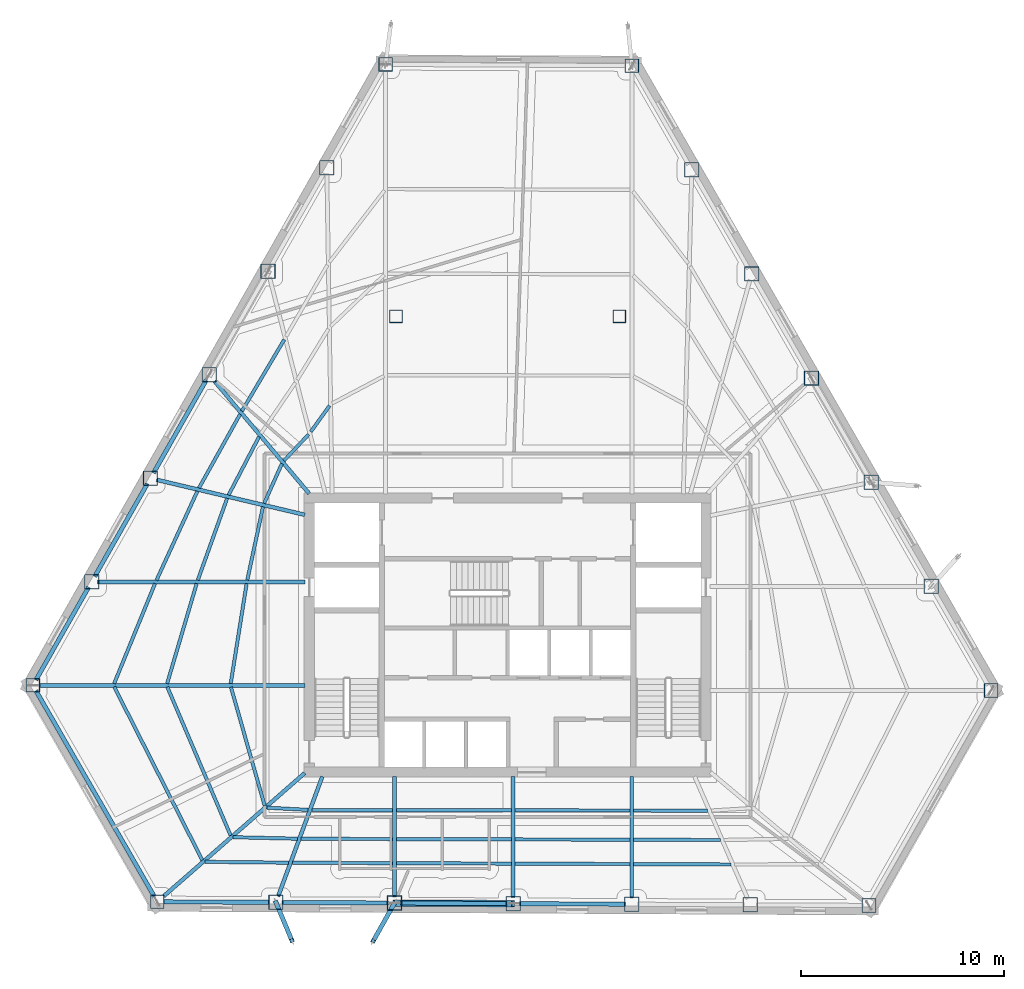
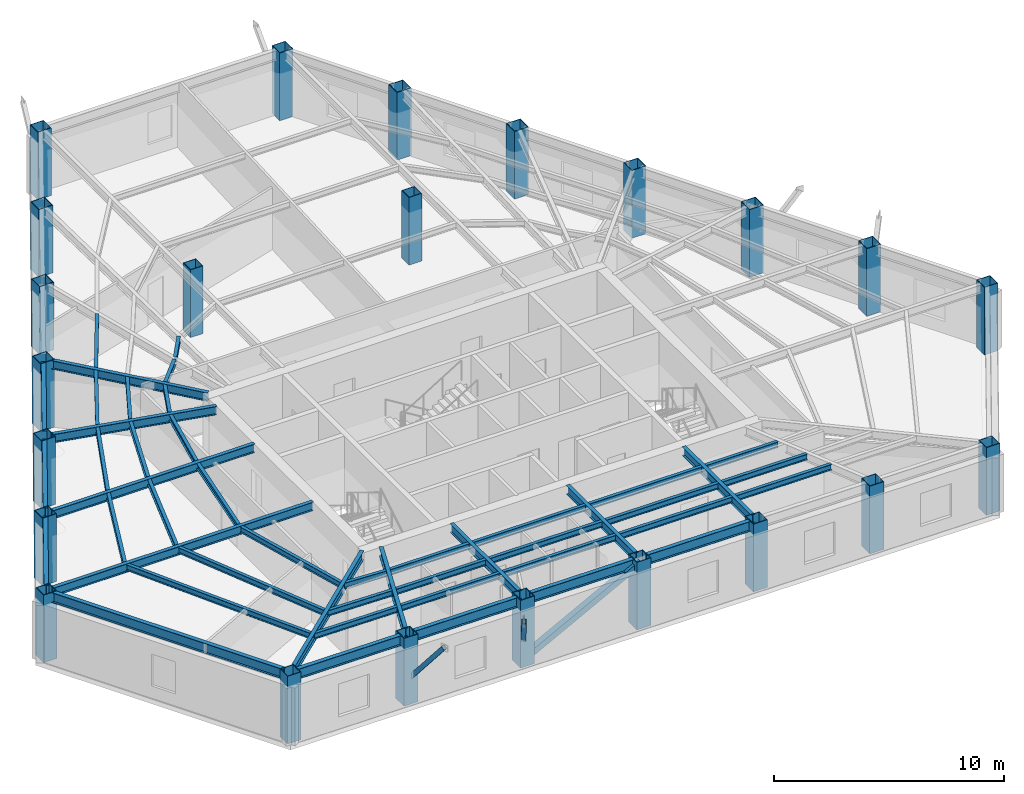
# One storey, part 1 of 13: 47 beams, 23 columns, 3 members.
"""IFC4 building model written with IfcOpenShell, lengths in metres."""

from ifc_helpers import new_model, si_unit, direction, frame, origin, origin_2d, place, context, subcontext, project, spatial, hollow_rectangle, i_section, extrude, material, material_profile, profile_set, type_object, element, save


model = new_model("IFC4")

# Units and contexts
model_context = context("Model", 3, precision=1e-05, world=origin(), true_north=direction((0.0, 1.0)))
body_context = subcontext(model_context, "Body", "Model", "MODEL_VIEW")
ifc_project = project(units=[si_unit("LENGTHUNIT", "METRE"), si_unit("AREAUNIT", "SQUARE_METRE"), si_unit("VOLUMEUNIT", "CUBIC_METRE"), si_unit("PLANEANGLEUNIT", "RADIAN"), si_unit("MASSUNIT", "GRAM", prefix="KILO")], contexts=[model_context])

# Site, building, storey
site_placement = place(None, origin())
site = spatial("IfcSite", under=ifc_project, at=site_placement, CompositionType="ELEMENT")
building_placement = place(site_placement, origin())
building = spatial("IfcBuilding", under=site, at=building_placement, Name="Kavelnor Concourse Tower", CompositionType="ELEMENT")
storey_placement = place(building_placement, frame((0.0, 0.0, 108.60009765625)))
storey = spatial("IfcBuildingStorey", under=building, at=storey_placement, Name="L27", CompositionType="ELEMENT", Elevation=108.60009765625)

# Columns
ifc_material = material(Name="Steel Grade 350", Category="steel")
ifc_material_profile_1 = material_profile(ifc_material, hollow_rectangle(XDim=0.679931640625, YDim=0.679931640625, WallThickness=0.030029296875, at=origin_2d()), Name="SHS 680x680x30")
ifc_profile_set_1 = profile_set([ifc_material_profile_1], Name="Steel Grade 350")
column_type_1 = type_object("IfcColumnType", Name="COL-FOLD-Z2", PredefinedType="COLUMN", material=ifc_profile_set_1)
for number, where, z_axis, x_axis, name in (
    (1, (31.99072265625, 44.204345703125, 0.0), (0.0, 0.0, 1.0), (1.0, 0.0, 0.0), "L27 Perimeter Corner-Fold Column F0-B0"),
    (2, (14.62353515625, 13.62646484375, 0.0), (0.0, 0.0, 1.0), (1.0, 0.0, 0.0), "L27 Perimeter Corner-Fold Column F0-B6"),
    (3, (20.751220703125, 2.966796875, 0.0), (0.0, 0.0, 1.0), (1.0, 0.0, 0.0), "L27 Perimeter Corner-Fold Column F1-B0"),
    (4, (55.797119140625, 2.784912109375, 0.0), (0.0, 0.0, 1.0), (1.0, 0.0, 0.0), "L27 Perimeter Corner-Fold Column F1-B6"),
    (5, (61.810791015625, 13.372802734375, 0.0), (0.0, 0.0, 1.0), (1.0, 0.0, 0.0), "L27 Perimeter Corner-Fold Column F2-B0"),
    (6, (44.123291015625, 44.1416015625, 0.0), (0.0, 0.0, 1.0), (1.0, 0.0, 0.0), "L27 Perimeter Corner-Fold Column F2-B6"),
):
    element("IfcColumn", number, at=place(storey_placement, frame(where, z_axis=z_axis, x_axis=x_axis)), inside=storey, type_object=column_type_1, Name=name, PredefinedType="COLUMN", context=body_context, shape_type="SweptSolid", body=[
        extrude(hollow_rectangle(XDim=0.679931640625, YDim=0.679931640625, WallThickness=0.030029296875, at=origin_2d()), origin(), (0.0, 0.0, 1.0), 3.599853515625),
    ])
ifc_material_profile_2 = material_profile(ifc_material, hollow_rectangle(XDim=0.719970703125, YDim=0.719970703125, WallThickness=0.031982421875, at=origin_2d()), Name="SHS 720x720x32")
ifc_profile_set_2 = profile_set([ifc_material_profile_2], Name="Steel Grade 350")
column_type_2 = type_object("IfcColumnType", Name="COL-TUBE-Z2", PredefinedType="COLUMN", material=ifc_profile_set_2)
for number, where, z_axis, x_axis, name in (
    (7, (29.09619140625, 39.108154296875, 0.0), (0.0, 0.0, 1.0), (1.0, 0.0, 0.0), "L27 Perimeter Framed-Tube Column F0-B1"),
    (8, (26.20166015625, 34.01171875, 0.0), (0.0, 0.0, 1.0), (1.0, 0.0, 0.0), "L27 Perimeter Framed-Tube Column F0-B2"),
    (9, (23.30712890625, 28.915283203125, 0.0), (0.0, 0.0, 1.0), (1.0, 0.0, 0.0), "L27 Perimeter Framed-Tube Column F0-B3"),
    (10, (20.41259765625, 23.819091796875, 0.0), (0.0, 0.0, 1.0), (1.0, 0.0, 0.0), "L27 Perimeter Framed-Tube Column F0-B4"),
    (11, (17.51806640625, 18.72265625, 0.0), (0.0, 0.0, 1.0), (1.0, 0.0, 0.0), "L27 Perimeter Framed-Tube Column F0-B5"),
    (12, (26.59228515625, 2.9365234375, 0.0), (0.0, 0.0, 1.0), (1.0, 0.0, 0.0), "L27 Perimeter Framed-Tube Column F1-B1"),
    (13, (32.43310546875, 2.90625, 0.0), (0.0, 0.0, 1.0), (1.0, 0.0, 0.0), "L27 Perimeter Framed-Tube Column F1-B2"),
    (14, (38.274169921875, 2.875732421875, 0.0), (0.0, 0.0, 1.0), (1.0, 0.0, 0.0), "L27 Perimeter Framed-Tube Column F1-B3"),
    (15, (44.115234375, 2.845458984375, 0.0), (0.0, 0.0, 1.0), (1.0, 0.0, 0.0), "L27 Perimeter Framed-Tube Column F1-B4"),
    (16, (49.956298828125, 2.815185546875, 0.0), (0.0, 0.0, 1.0), (1.0, 0.0, 0.0), "L27 Perimeter Framed-Tube Column F1-B5"),
    (17, (58.86279296875, 18.5009765625, 0.0), (0.0, 0.0, 1.0), (1.0, 0.0, 0.0), "L27 Perimeter Framed-Tube Column F2-B1"),
    (18, (55.9150390625, 23.62890625, 0.0), (0.0, 0.0, 1.0), (1.0, 0.0, 0.0), "L27 Perimeter Framed-Tube Column F2-B2"),
    (19, (52.967041015625, 28.757080078125, 0.0), (0.0, 0.0, 1.0), (1.0, 0.0, 0.0), "L27 Perimeter Framed-Tube Column F2-B3"),
    (20, (50.01904296875, 33.88525390625, 0.0), (0.0, 0.0, 1.0), (1.0, 0.0, 0.0), "L27 Perimeter Framed-Tube Column F2-B4"),
    (21, (47.0712890625, 39.013427734375, 0.0), (0.0, 0.0, 1.0), (1.0, 0.0, 0.0), "L27 Perimeter Framed-Tube Column F2-B5"),
):
    element("IfcColumn", number, at=place(storey_placement, frame(where, z_axis=z_axis, x_axis=x_axis)), inside=storey, type_object=column_type_2, Name=name, PredefinedType="COLUMN", context=body_context, shape_type="SweptSolid", body=[
        extrude(hollow_rectangle(XDim=0.719970703125, YDim=0.719970703125, WallThickness=0.031982421875, at=origin_2d()), origin(), (0.0, 0.0, 1.0), 3.599853515625),
    ])
ifc_material_profile_3 = material_profile(ifc_material, hollow_rectangle(XDim=0.639892578125, YDim=0.639892578125, WallThickness=0.028076171875, at=origin_2d()), Name="SHS 640x640x28")
ifc_profile_set_3 = profile_set([ifc_material_profile_3], Name="Steel Grade 350")
column_type_3 = type_object("IfcColumnType", Name="COL-TUBE-Z3", PredefinedType="COLUMN", material=ifc_profile_set_3)
for number, where, z_axis, x_axis, name in (
    (22, (32.5, 31.800048828125, 0.0), (0.0, 0.0, 1.0), (1.0, 0.0, 0.0), "L27 North Interior Gravity Column BC-NW"),
    (23, (43.5, 31.800048828125, 0.0), (0.0, 0.0, 1.0), (1.0, 0.0, 0.0), "L27 North Interior Gravity Column BC-NE"),
):
    element("IfcColumn", number, at=place(storey_placement, frame(where, z_axis=z_axis, x_axis=x_axis)), inside=storey, type_object=column_type_3, Name=name, PredefinedType="COLUMN", context=body_context, shape_type="SweptSolid", body=[
        extrude(hollow_rectangle(XDim=0.639892578125, YDim=0.639892578125, WallThickness=0.028076171875, at=origin_2d()), origin(), (0.0, 0.0, 1.0), 3.599853515625),
    ])

# Beams
ifc_material_profile_4 = material_profile(ifc_material, i_section(OverallWidth=0.166015625, OverallDepth=0.306884765625, WebThickness=0.006591796875, FlangeThickness=0.01171875, at=origin_2d()), Name="310UB46")
ifc_profile_set_4 = profile_set([ifc_material_profile_4], Name="Steel Grade 350")
beam_type_1 = type_object("IfcBeamType", Name="BM-JOIST-310", PredefinedType="JOIST", material=ifc_profile_set_4)
beam_1_placement = place(storey_placement, frame((24.377197265625, 13.540771484375, 3.4462890625), z_axis=(0.273421872774, -0.961894214292, 0.0), x_axis=(0.961894214292, 0.273421872774, 0.0)))
element("IfcBeam", 24, at=beam_1_placement, inside=storey, type_object=beam_type_1, Name="L27 Secondary Composite Joist 01-1", PredefinedType="JOIST", context=body_context, shape_type="SweptSolid", body=[
    extrude(i_section(OverallWidth=0.166015625, OverallDepth=0.306884765625, WebThickness=0.006591796875, FlangeThickness=0.01171875, at=origin_2d()), origin(), (0.0, 0.0, 1.0), 6.08154296875),
])
beam_2_placement = place(storey_placement, frame((21.24462890625, 13.54443359375, 3.4462890625), z_axis=(0.392106109439, -0.919919995946, 0.0), x_axis=(0.919919995946, 0.392106109439, 0.0)))
element("IfcBeam", 25, at=beam_2_placement, inside=storey, type_object=beam_type_1, Name="L27 Secondary Composite Joist 01-2", PredefinedType="JOIST", context=body_context, shape_type="SweptSolid", body=[
    extrude(i_section(OverallWidth=0.166015625, OverallDepth=0.306884765625, WebThickness=0.006591796875, FlangeThickness=0.01171875, at=origin_2d()), origin(), (0.0, 0.0, 1.0), 7.949951171875),
])
beam_3_placement = place(storey_placement, frame((18.630859375, 13.547119140625, 3.4462890625), z_axis=(0.453040874206, -0.891489745481, 0.0), x_axis=(0.891489745481, 0.453040874206, 0.0)))
element("IfcBeam", 26, at=beam_3_placement, inside=storey, type_object=beam_type_1, Name="L27 Secondary Composite Joist 01-3", PredefinedType="JOIST", context=body_context, shape_type="SweptSolid", body=[
    extrude(i_section(OverallWidth=0.166015625, OverallDepth=0.306884765625, WebThickness=0.006591796875, FlangeThickness=0.01171875, at=origin_2d()), origin(), (0.0, 0.0, 1.0), 9.5703125),
])
beam_4_placement = place(storey_placement, frame((26.1533203125, 7.6005859375, 3.4462890625), z_axis=(0.998534202843, -0.054124354527, 0.0), x_axis=(0.054124354527, 0.998534202843, 0.0)))
element("IfcBeam", 27, at=beam_4_placement, inside=storey, type_object=beam_type_1, Name="L27 Secondary Composite Joist 02-1", PredefinedType="JOIST", context=body_context, shape_type="SweptSolid", body=[
    extrude(i_section(OverallWidth=0.166015625, OverallDepth=0.306884765625, WebThickness=0.006591796875, FlangeThickness=0.01171875, at=origin_2d()), origin(), (0.0, 0.0, 1.0), 2.02978515625),
])
beam_5_placement = place(storey_placement, frame((24.485595703125, 6.147216796875, 3.4462890625), z_axis=(0.999722872434, -0.02354099261, 0.0), x_axis=(0.02354099261, 0.999722872434, 0.0)))
element("IfcBeam", 28, at=beam_5_placement, inside=storey, type_object=beam_type_1, Name="L27 Secondary Composite Joist 02-2", PredefinedType="JOIST", context=body_context, shape_type="SweptSolid", body=[
    extrude(i_section(OverallWidth=0.166015625, OverallDepth=0.306884765625, WebThickness=0.006591796875, FlangeThickness=0.01171875, at=origin_2d()), origin(), (0.0, 0.0, 1.0), 3.173583984375),
])
beam_6_placement = place(storey_placement, frame((23.095703125, 4.93505859375, 3.4462890625), z_axis=(0.999944583282, -0.010527600155, 0.0), x_axis=(0.010527600155, 0.999944583282, 0.0)))
element("IfcBeam", 29, at=beam_6_placement, inside=storey, type_object=beam_type_1, Name="L27 Secondary Composite Joist 02-3", PredefinedType="JOIST", context=body_context, shape_type="SweptSolid", body=[
    extrude(i_section(OverallWidth=0.166015625, OverallDepth=0.306884765625, WebThickness=0.006591796875, FlangeThickness=0.01171875, at=origin_2d()), origin(), (0.0, 0.0, 1.0), 4.1279296875),
])
beam_7_placement = place(storey_placement, frame((28.358154296875, 7.48583984375, 3.4462890625), z_axis=(0.999998422562, -0.001776196132, 0.0), x_axis=(0.001776196132, 0.999998422562, 0.0)))
element("IfcBeam", 30, at=beam_7_placement, inside=storey, type_object=beam_type_1, Name="L27 Secondary Composite Joist 03-1", PredefinedType="JOIST", context=body_context, shape_type="SweptSolid", body=[
    extrude(i_section(OverallWidth=0.166015625, OverallDepth=0.306884765625, WebThickness=0.006591796875, FlangeThickness=0.01171875, at=origin_2d()), origin(), (0.0, 0.0, 1.0), 3.986083984375),
])
beam_8_placement = place(storey_placement, frame((27.836181640625, 6.070068359375, 3.4462890625), z_axis=(0.999994179656, -0.003411840418, 0.0), x_axis=(0.003411840418, 0.999994179656, 0.0)))
element("IfcBeam", 31, at=beam_8_placement, inside=storey, type_object=beam_type_1, Name="L27 Secondary Composite Joist 03-2", PredefinedType="JOIST", context=body_context, shape_type="SweptSolid", body=[
    extrude(i_section(OverallWidth=0.166015625, OverallDepth=0.306884765625, WebThickness=0.006591796875, FlangeThickness=0.01171875, at=origin_2d()), origin(), (0.0, 0.0, 1.0), 4.508056640625),
])
beam_9_placement = place(storey_placement, frame((27.4013671875, 4.89013671875, 3.4462890625), z_axis=(0.9999901197, -0.004445278612, 0.0), x_axis=(0.004445278612, 0.9999901197, 0.0)))
element("IfcBeam", 32, at=beam_9_placement, inside=storey, type_object=beam_type_1, Name="L27 Secondary Composite Joist 03-3", PredefinedType="JOIST", context=body_context, shape_type="SweptSolid", body=[
    extrude(i_section(OverallWidth=0.166015625, OverallDepth=0.306884765625, WebThickness=0.006591796875, FlangeThickness=0.01171875, at=origin_2d()), origin(), (0.0, 0.0, 1.0), 4.94287109375),
])
for number, where, z_axis, x_axis, name in (
    (33, (32.522216796875, 7.478515625, 3.4462890625), (0.999998925761, -0.001465768386, 0.0), (0.001465768386, 0.999998925761, 0.0), "L27 Secondary Composite Joist 04-1"),
    (34, (32.522216796875, 6.05419921875, 3.4462890625), (0.999996311732, -0.002715975497, 0.0), (0.002715975497, 0.999996311732, 0.0), "L27 Secondary Composite Joist 04-2"),
    (35, (32.522216796875, 4.8671875, 3.4462890625), (0.99999312716, -0.003707510301, 0.0), (0.003707510301, 0.99999312716, 0.0), "L27 Secondary Composite Joist 04-3"),
):
    element("IfcBeam", number, at=place(storey_placement, frame(where, z_axis=z_axis, x_axis=x_axis)), inside=storey, type_object=beam_type_1, Name=name, PredefinedType="JOIST", context=body_context, shape_type="SweptSolid", body=[
        extrude(i_section(OverallWidth=0.166015625, OverallDepth=0.306884765625, WebThickness=0.006591796875, FlangeThickness=0.01171875, at=origin_2d()), origin(), (0.0, 0.0, 1.0), 5.6630859375),
    ])
for number, where, z_axis, x_axis, name in (
    (36, (38.36328125, 7.469970703125, 3.4462890625), (0.999998925668, -0.001465831579, 0.0), (0.001465831579, 0.999998925668, 0.0), "L27 Secondary Composite Joist 05-1"),
    (37, (38.36328125, 6.038330078125, 3.4462890625), (0.999996427582, -0.002672980319, 0.0), (0.002672980319, 0.999996427582, 0.0), "L27 Secondary Composite Joist 05-2"),
    (38, (38.36328125, 4.845458984375, 3.4462890625), (0.999992965793, -0.00375078198, 0.0), (0.00375078198, 0.999992965793, 0.0), "L27 Secondary Composite Joist 05-3"),
):
    element("IfcBeam", number, at=place(storey_placement, frame(where, z_axis=z_axis, x_axis=x_axis)), inside=storey, type_object=beam_type_1, Name=name, PredefinedType="JOIST", context=body_context, shape_type="SweptSolid", body=[
        extrude(i_section(OverallWidth=0.166015625, OverallDepth=0.306884765625, WebThickness=0.006591796875, FlangeThickness=0.01171875, at=origin_2d()), origin(), (0.0, 0.0, 1.0), 5.662841796875),
    ])
beam_10_placement = place(storey_placement, frame((44.2041015625, 7.461181640625, 3.4462890625), z_axis=(0.999996770491, -0.002541457817, 0.0), x_axis=(0.002541457817, 0.999996770491, 0.0)))
element("IfcBeam", 39, at=beam_10_placement, inside=storey, type_object=beam_type_1, Name="L27 Secondary Composite Joist 06-1", PredefinedType="JOIST", context=body_context, shape_type="SweptSolid", body=[
    extrude(i_section(OverallWidth=0.166015625, OverallDepth=0.306884765625, WebThickness=0.006591796875, FlangeThickness=0.01171875, at=origin_2d()), origin(), (0.0, 0.0, 1.0), 3.650390625),
])
beam_11_placement = place(storey_placement, frame((44.2041015625, 6.0224609375, 3.4462890625), z_axis=(0.999993938815, -0.003481714056, 0.0), x_axis=(0.003481714056, 0.999993938815, 0.0)))
element("IfcBeam", 40, at=beam_11_placement, inside=storey, type_object=beam_type_1, Name="L27 Secondary Composite Joist 06-2", PredefinedType="JOIST", context=body_context, shape_type="SweptSolid", body=[
    extrude(i_section(OverallWidth=0.166015625, OverallDepth=0.306884765625, WebThickness=0.006591796875, FlangeThickness=0.01171875, at=origin_2d()), origin(), (0.0, 0.0, 1.0), 4.27734375),
])
beam_12_placement = place(storey_placement, frame((44.2041015625, 4.823486328125, 3.4462890625), z_axis=(0.999991721006, -0.004069142303, 0.0), x_axis=(0.004069142303, 0.999991721006, 0.0)))
element("IfcBeam", 41, at=beam_12_placement, inside=storey, type_object=beam_type_1, Name="L27 Secondary Composite Joist 06-3", PredefinedType="JOIST", context=body_context, shape_type="SweptSolid", body=[
    extrude(i_section(OverallWidth=0.166015625, OverallDepth=0.306884765625, WebThickness=0.006591796875, FlangeThickness=0.01171875, at=origin_2d()), origin(), (0.0, 0.0, 1.0), 4.7998046875),
])
beam_13_placement = place(storey_placement, frame((29.23388671875, 27.397216796875, 3.4462890625), z_axis=(-0.58433322423, -0.811513821855, 0.0), x_axis=(0.811513821855, -0.58433322423, 0.0)))
element("IfcBeam", 42, at=beam_13_placement, inside=storey, type_object=beam_type_1, Name="L27 Secondary Composite Joist 17-1", PredefinedType="JOIST", context=body_context, shape_type="SweptSolid", body=[
    extrude(i_section(OverallWidth=0.166015625, OverallDepth=0.306884765625, WebThickness=0.006591796875, FlangeThickness=0.01171875, at=origin_2d()), origin(), (0.0, 0.0, 1.0), 1.579833984375),
])
beam_14_placement = place(storey_placement, frame((28.197998046875, 25.978271484375, 3.4462890625), z_axis=(-0.6843941142, -0.729112266012, 0.0), x_axis=(0.729112266012, -0.6843941142, 0.0)))
element("IfcBeam", 43, at=beam_14_placement, inside=storey, type_object=beam_type_1, Name="L27 Secondary Composite Joist 18-1", PredefinedType="JOIST", context=body_context, shape_type="SweptSolid", body=[
    extrude(i_section(OverallWidth=0.166015625, OverallDepth=0.306884765625, WebThickness=0.006591796875, FlangeThickness=0.01171875, at=origin_2d()), origin(), (0.0, 0.0, 1.0), 1.7744140625),
])
beam_15_placement = place(storey_placement, frame((27.00390625, 30.652099609375, 3.4462890625), z_axis=(-0.509872719421, -0.860249853235, 0.0), x_axis=(0.860249853235, -0.509872719421, 0.0)))
element("IfcBeam", 44, at=beam_15_placement, inside=storey, type_object=beam_type_1, Name="L27 Secondary Composite Joist 18-3", PredefinedType="JOIST", context=body_context, shape_type="SweptSolid", body=[
    extrude(i_section(OverallWidth=0.166015625, OverallDepth=0.306884765625, WebThickness=0.006591796875, FlangeThickness=0.01171875, at=origin_2d()), origin(), (0.0, 0.0, 1.0), 4.091552734375),
])
beam_16_placement = place(storey_placement, frame((26.88623046875, 24.53857421875, 3.4462890625), z_axis=(-0.409448949059, -0.912333030266, 0.0), x_axis=(0.912333030266, -0.409448949059, 0.0)))
element("IfcBeam", 45, at=beam_16_placement, inside=storey, type_object=beam_type_1, Name="L27 Secondary Composite Joist 19-1", PredefinedType="JOIST", context=body_context, shape_type="SweptSolid", body=[
    extrude(i_section(OverallWidth=0.166015625, OverallDepth=0.306884765625, WebThickness=0.006591796875, FlangeThickness=0.01171875, at=origin_2d()), origin(), (0.0, 0.0, 1.0), 2.139892578125),
])
beam_17_placement = place(storey_placement, frame((25.76318359375, 25.86962890625, 3.4462890625), z_axis=(-0.463443828388, -0.886126299085, 0.0), x_axis=(0.886126299085, -0.463443828388, 0.0)))
element("IfcBeam", 46, at=beam_17_placement, inside=storey, type_object=beam_type_1, Name="L27 Secondary Composite Joist 19-2", PredefinedType="JOIST", context=body_context, shape_type="SweptSolid", body=[
    extrude(i_section(OverallWidth=0.166015625, OverallDepth=0.306884765625, WebThickness=0.006591796875, FlangeThickness=0.01171875, at=origin_2d()), origin(), (0.0, 0.0, 1.0), 3.240234375),
])
beam_18_placement = place(storey_placement, frame((24.8291015625, 26.97802734375, 3.4462890625), z_axis=(-0.48688246548, -0.873467494992, 0.0), x_axis=(0.873467494992, -0.48688246548, 0.0)))
element("IfcBeam", 47, at=beam_18_placement, inside=storey, type_object=beam_type_1, Name="L27 Secondary Composite Joist 19-3", PredefinedType="JOIST", context=body_context, shape_type="SweptSolid", body=[
    extrude(i_section(OverallWidth=0.166015625, OverallDepth=0.306884765625, WebThickness=0.006591796875, FlangeThickness=0.01171875, at=origin_2d()), origin(), (0.0, 0.0, 1.0), 4.162353515625),
])
beam_19_placement = place(storey_placement, frame((25.954833984375, 22.41796875, 3.4462890625), z_axis=(-0.209407088288, -0.977828549069, 0.0), x_axis=(0.977828549069, -0.209407088288, 0.0)))
element("IfcBeam", 48, at=beam_19_placement, inside=storey, type_object=beam_type_1, Name="L27 Secondary Composite Joist 20-1", PredefinedType="JOIST", context=body_context, shape_type="SweptSolid", body=[
    extrude(i_section(OverallWidth=0.166015625, OverallDepth=0.306884765625, WebThickness=0.006591796875, FlangeThickness=0.01171875, at=origin_2d()), origin(), (0.0, 0.0, 1.0), 3.68994140625),
])
beam_20_placement = place(storey_placement, frame((24.190185546875, 22.835693359375, 3.4462890625), z_axis=(-0.337586210639, -0.941294614022, 0.0), x_axis=(0.941294614022, -0.337586210639, 0.0)))
element("IfcBeam", 49, at=beam_20_placement, inside=storey, type_object=beam_type_1, Name="L27 Secondary Composite Joist 20-2", PredefinedType="JOIST", context=body_context, shape_type="SweptSolid", body=[
    extrude(i_section(OverallWidth=0.166015625, OverallDepth=0.306884765625, WebThickness=0.006591796875, FlangeThickness=0.01171875, at=origin_2d()), origin(), (0.0, 0.0, 1.0), 4.280517578125),
])
beam_21_placement = place(storey_placement, frame((22.721923828125, 23.18359375, 3.4462890625), z_axis=(-0.417136105689, -0.908844029155, 0.0), x_axis=(0.908844029155, -0.417136105689, 0.0)))
element("IfcBeam", 50, at=beam_21_placement, inside=storey, type_object=beam_type_1, Name="L27 Secondary Composite Joist 20-3", PredefinedType="JOIST", context=body_context, shape_type="SweptSolid", body=[
    extrude(i_section(OverallWidth=0.166015625, OverallDepth=0.306884765625, WebThickness=0.006591796875, FlangeThickness=0.01171875, at=origin_2d()), origin(), (0.0, 0.0, 1.0), 4.819091796875),
])
beam_22_placement = place(storey_placement, frame((25.1494140625, 18.634765625, 3.4462890625), z_axis=(-0.157052049114, -0.987590326942, 0.0), x_axis=(0.987590326942, -0.157052049114, 0.0)))
element("IfcBeam", 51, at=beam_22_placement, inside=storey, type_object=beam_type_1, Name="L27 Secondary Composite Joist 21-1", PredefinedType="JOIST", context=body_context, shape_type="SweptSolid", body=[
    extrude(i_section(OverallWidth=0.166015625, OverallDepth=0.306884765625, WebThickness=0.006591796875, FlangeThickness=0.01171875, at=origin_2d()), origin(), (0.0, 0.0, 1.0), 4.982177734375),
])
beam_23_placement = place(storey_placement, frame((22.689697265625, 18.63720703125, 3.4462890625), z_axis=(-0.283236833557, -0.959049996672, 0.0), x_axis=(0.959049996672, -0.283236833557, 0.0)))
element("IfcBeam", 52, at=beam_23_placement, inside=storey, type_object=beam_type_1, Name="L27 Secondary Composite Joist 21-2", PredefinedType="JOIST", context=body_context, shape_type="SweptSolid", body=[
    extrude(i_section(OverallWidth=0.166015625, OverallDepth=0.306884765625, WebThickness=0.006591796875, FlangeThickness=0.01171875, at=origin_2d()), origin(), (0.0, 0.0, 1.0), 5.135498046875),
])
beam_24_placement = place(storey_placement, frame((20.640869140625, 18.640380859375, 3.4462890625), z_axis=(-0.378490103516, -0.925605337896, 0.0), x_axis=(0.925605337896, -0.378490103516, 0.0)))
element("IfcBeam", 53, at=beam_24_placement, inside=storey, type_object=beam_type_1, Name="L27 Secondary Composite Joist 21-3", PredefinedType="JOIST", context=body_context, shape_type="SweptSolid", body=[
    extrude(i_section(OverallWidth=0.166015625, OverallDepth=0.306884765625, WebThickness=0.006591796875, FlangeThickness=0.01171875, at=origin_2d()), origin(), (0.0, 0.0, 1.0), 5.328125),
])
ifc_material_profile_5 = material_profile(ifc_material, i_section(OverallWidth=0.18994140625, OverallDepth=0.4541015625, WebThickness=0.008544921875, FlangeThickness=0.0126953125, at=origin_2d()), Name="460UB67")
ifc_profile_set_5 = profile_set([ifc_material_profile_5], Name="Steel Grade 350")
beam_type_2 = type_object("IfcBeamType", Name="BM-PRIMARY-460", PredefinedType="BEAM", material=ifc_profile_set_5)
beam_25_placement = place(storey_placement, frame((28.2275390625, 23.0693359375, 3.372802734375), z_axis=(-0.643933138721, 0.765081768739, 0.0), x_axis=(-0.765081768739, -0.643933138721, 0.0)))
element("IfcBeam", 54, at=beam_25_placement, inside=storey, type_object=beam_type_2, Name="L27 Primary Floor Girder F0-B3", PredefinedType="BEAM", context=body_context, shape_type="SweptSolid", body=[
    extrude(i_section(OverallWidth=0.18994140625, OverallDepth=0.4541015625, WebThickness=0.008544921875, FlangeThickness=0.0126953125, at=origin_2d()), origin(), (0.0, 0.0, 1.0), 7.236572265625),
])
beam_26_placement = place(storey_placement, frame((28.018798828125, 22.021484375, 3.372802734375), z_axis=(-0.973188054486, 0.230010892364, 0.0), x_axis=(-0.230010892364, -0.973188054486, 0.0)))
element("IfcBeam", 55, at=beam_26_placement, inside=storey, type_object=beam_type_2, Name="L27 Primary Floor Girder F0-B4", PredefinedType="BEAM", context=body_context, shape_type="SweptSolid", body=[
    extrude(i_section(OverallWidth=0.18994140625, OverallDepth=0.4541015625, WebThickness=0.008544921875, FlangeThickness=0.0126953125, at=origin_2d()), origin(), (0.0, 0.0, 1.0), 7.50634765625),
])
beam_27_placement = place(storey_placement, frame((28.02001953125, 18.72265625, 3.372802734375), z_axis=(-1.0, 0.0, 0.0), x_axis=(0.0, -1.0, 0.0)))
element("IfcBeam", 56, at=beam_27_placement, inside=storey, type_object=beam_type_2, Name="L27 Primary Floor Girder F0-B5", PredefinedType="BEAM", context=body_context, shape_type="SweptSolid", body=[
    extrude(i_section(OverallWidth=0.18994140625, OverallDepth=0.4541015625, WebThickness=0.008544921875, FlangeThickness=0.0126953125, at=origin_2d()), origin(), (0.0, 0.0, 1.0), 10.201904296875),
])
beam_28_placement = place(storey_placement, frame((28.02001953125, 13.62646484375, 3.372802734375), z_axis=(-1.0, 0.0, 0.0), x_axis=(0.0, -1.0, 0.0)))
element("IfcBeam", 57, at=beam_28_placement, inside=storey, type_object=beam_type_2, Name="L27 Primary Floor Girder F0-B6", PredefinedType="BEAM", context=body_context, shape_type="SweptSolid", body=[
    extrude(i_section(OverallWidth=0.18994140625, OverallDepth=0.4541015625, WebThickness=0.008544921875, FlangeThickness=0.0126953125, at=origin_2d()), origin(), (0.0, 0.0, 1.0), 13.096435546875),
])
beam_29_placement = place(storey_placement, frame((28.010009765625, 9.30419921875, 3.372802734375), z_axis=(-0.753299252327, -0.657677912389, 0.0), x_axis=(0.657677912389, -0.753299252327, 0.0)))
element("IfcBeam", 58, at=beam_29_placement, inside=storey, type_object=beam_type_2, Name="L27 Primary Floor Girder F1-B0", PredefinedType="BEAM", context=body_context, shape_type="SweptSolid", body=[
    extrude(i_section(OverallWidth=0.18994140625, OverallDepth=0.4541015625, WebThickness=0.008544921875, FlangeThickness=0.0126953125, at=origin_2d()), origin(), (0.0, 0.0, 1.0), 9.224609375),
])
beam_30_placement = place(storey_placement, frame((28.877685546875, 9.137451171875, 3.372802734375), z_axis=(-0.345840336278, -0.938293377256, 0.0), x_axis=(0.938293377256, -0.345840336278, 0.0)))
element("IfcBeam", 59, at=beam_30_placement, inside=storey, type_object=beam_type_2, Name="L27 Primary Floor Girder F1-B1", PredefinedType="BEAM", context=body_context, shape_type="SweptSolid", body=[
    extrude(i_section(OverallWidth=0.18994140625, OverallDepth=0.4541015625, WebThickness=0.008544921875, FlangeThickness=0.0126953125, at=origin_2d()), origin(), (0.0, 0.0, 1.0), 6.286376953125),
])
beam_31_placement = place(storey_placement, frame((32.43310546875, 9.139892578125, 3.372802734375), z_axis=(0.0, -1.0, 0.0), x_axis=(1.0, 0.0, 0.0)))
element("IfcBeam", 60, at=beam_31_placement, inside=storey, type_object=beam_type_2, Name="L27 Primary Floor Girder F1-B2", PredefinedType="BEAM", context=body_context, shape_type="SweptSolid", body=[
    extrude(i_section(OverallWidth=0.18994140625, OverallDepth=0.4541015625, WebThickness=0.008544921875, FlangeThickness=0.0126953125, at=origin_2d()), origin(), (0.0, 0.0, 1.0), 5.93359375),
])
beam_32_placement = place(storey_placement, frame((38.274169921875, 9.139892578125, 3.372802734375), z_axis=(0.0, -1.0, 0.0), x_axis=(1.0, 0.0, 0.0)))
element("IfcBeam", 61, at=beam_32_placement, inside=storey, type_object=beam_type_2, Name="L27 Primary Floor Girder F1-B3", PredefinedType="BEAM", context=body_context, shape_type="SweptSolid", body=[
    extrude(i_section(OverallWidth=0.18994140625, OverallDepth=0.4541015625, WebThickness=0.008544921875, FlangeThickness=0.0126953125, at=origin_2d()), origin(), (0.0, 0.0, 1.0), 5.964111328125),
])
beam_33_placement = place(storey_placement, frame((44.115234375, 9.139892578125, 3.372802734375), z_axis=(0.0, -1.0, 0.0), x_axis=(1.0, 0.0, 0.0)))
element("IfcBeam", 62, at=beam_33_placement, inside=storey, type_object=beam_type_2, Name="L27 Primary Floor Girder F1-B4", PredefinedType="BEAM", context=body_context, shape_type="SweptSolid", body=[
    extrude(i_section(OverallWidth=0.18994140625, OverallDepth=0.4541015625, WebThickness=0.008544921875, FlangeThickness=0.0126953125, at=origin_2d()), origin(), (0.0, 0.0, 1.0), 5.994384765625),
])
ifc_material_profile_6 = material_profile(ifc_material, i_section(OverallWidth=0.208984375, OverallDepth=0.532958984375, WebThickness=0.01025390625, FlangeThickness=0.015625, at=origin_2d()), Name="530UB92")
ifc_profile_set_6 = profile_set([ifc_material_profile_6], Name="Steel Grade 350")
beam_type_3 = type_object("IfcBeamType", Name="BM-SPANDREL-Z2", PredefinedType="SPANDREL", material=ifc_profile_set_6)
beam_34_placement = place(storey_placement, frame((23.156494140625, 28.650146484375, 3.33349609375), z_axis=(-0.493864017051, -0.869539149585, 0.0), x_axis=(0.869539149585, -0.493864017051, 0.0)))
element("IfcBeam", 63, at=beam_34_placement, inside=storey, type_object=beam_type_3, Name="L27 Perimeter Tube Spandrel Beam F0-B3", PredefinedType="SPANDREL", context=body_context, shape_type="SweptSolid", body=[
    extrude(i_section(OverallWidth=0.208984375, OverallDepth=0.532958984375, WebThickness=0.01025390625, FlangeThickness=0.015625, at=origin_2d()), origin(), (0.0, 0.0, 1.0), 5.2509765625),
])
beam_35_placement = place(storey_placement, frame((20.261962890625, 23.553955078125, 3.33349609375), z_axis=(-0.493844051428, -0.869550488971, 0.0), x_axis=(0.869550488971, -0.493844051428, 0.0)))
element("IfcBeam", 64, at=beam_35_placement, inside=storey, type_object=beam_type_3, Name="L27 Perimeter Tube Spandrel Beam F0-B4", PredefinedType="SPANDREL", context=body_context, shape_type="SweptSolid", body=[
    extrude(i_section(OverallWidth=0.208984375, OverallDepth=0.532958984375, WebThickness=0.01025390625, FlangeThickness=0.015625, at=origin_2d()), origin(), (0.0, 0.0, 1.0), 5.251220703125),
])
beam_36_placement = place(storey_placement, frame((17.367431640625, 18.45751953125, 3.33349609375), z_axis=(-0.493864017051, -0.869539149585, 0.0), x_axis=(0.869539149585, -0.493864017051, 0.0)))
element("IfcBeam", 65, at=beam_36_placement, inside=storey, type_object=beam_type_3, Name="L27 Perimeter Tube Spandrel Beam F0-B5", PredefinedType="SPANDREL", context=body_context, shape_type="SweptSolid", body=[
    extrude(i_section(OverallWidth=0.208984375, OverallDepth=0.532958984375, WebThickness=0.01025390625, FlangeThickness=0.015625, at=origin_2d()), origin(), (0.0, 0.0, 1.0), 5.2509765625),
])
for number, where, z_axis, x_axis, name in (
    (66, (21.05615234375, 2.965087890625, 3.33349609375), (0.99998658085, -0.005180552155, 0.0), (0.005180552155, 0.99998658085, 0.0), "L27 Perimeter Tube Spandrel Beam F1-B0"),
    (67, (26.897216796875, 2.934814453125, 3.33349609375), (0.99998658085, -0.005180552155, 0.0), (0.005180552155, 0.99998658085, 0.0), "L27 Perimeter Tube Spandrel Beam F1-B1"),
    (68, (32.73828125, 2.904541015625, 3.33349609375), (0.99998658085, -0.005180552155, 0.0), (0.005180552155, 0.99998658085, 0.0), "L27 Perimeter Tube Spandrel Beam F1-B2"),
):
    element("IfcBeam", number, at=place(storey_placement, frame(where, z_axis=z_axis, x_axis=x_axis)), inside=storey, type_object=beam_type_3, Name=name, PredefinedType="SPANDREL", context=body_context, shape_type="SweptSolid", body=[
        extrude(i_section(OverallWidth=0.208984375, OverallDepth=0.532958984375, WebThickness=0.01025390625, FlangeThickness=0.015625, at=origin_2d()), origin(), (0.0, 0.0, 1.0), 5.23095703125),
    ])
beam_37_placement = place(storey_placement, frame((38.5791015625, 2.874267578125, 3.33349609375), z_axis=(0.999986582102, -0.005180310385, 0.0), x_axis=(0.005180310385, 0.999986582102, 0.0)))
element("IfcBeam", 69, at=beam_37_placement, inside=storey, type_object=beam_type_3, Name="L27 Perimeter Tube Spandrel Beam F1-B3", PredefinedType="SPANDREL", context=body_context, shape_type="SweptSolid", body=[
    extrude(i_section(OverallWidth=0.208984375, OverallDepth=0.532958984375, WebThickness=0.01025390625, FlangeThickness=0.015625, at=origin_2d()), origin(), (0.0, 0.0, 1.0), 5.231201171875),
])
beam_38_placement = place(storey_placement, frame((14.775390625, 13.362060546875, 3.33349609375), z_axis=(0.498373772456, -0.866962273071, 0.0), x_axis=(0.866962273071, 0.498373772456, 0.0)))
element("IfcBeam", 70, at=beam_38_placement, inside=storey, type_object=beam_type_3, Name="L27 Chamfer Facet Spandrel Beam C1", PredefinedType="SPANDREL", context=body_context, shape_type="SweptSolid", body=[
    extrude(i_section(OverallWidth=0.208984375, OverallDepth=0.532958984375, WebThickness=0.01025390625, FlangeThickness=0.015625, at=origin_2d()), origin(), (0.0, 0.0, 1.0), 11.685546875),
])

# Members
ifc_material_profile_7 = material_profile(ifc_material, hollow_rectangle(XDim=0.219970703125, YDim=0.219970703125, WallThickness=0.013916015625, at=origin_2d()), Name="SHS 220x220x14")
ifc_profile_set_7 = profile_set([ifc_material_profile_7], Name="Steel Grade 350")
member_type_1 = type_object("IfcMemberType", Name="MBR-BALC-STRUT-220", PredefinedType="STRUT", material=ifc_profile_set_7)
member_1_placement = place(storey_placement, frame((26.59228515625, 2.9365234375, 1.0498046875), z_axis=(0.238316704425, -0.568373162211, 0.787500537695), x_axis=(0.922213668245, 0.386680682348, 0.0)))
element("IfcMember", 71, at=member_1_placement, inside=storey, type_object=member_type_1, Name="L27 Tree Balcony Raking Knee Strut 1-A", PredefinedType="STRUT", context=body_context, shape_type="SweptSolid", body=[
    extrude(hollow_rectangle(XDim=0.219970703125, YDim=0.219970703125, WallThickness=0.013916015625, at=origin_2d()), origin(), (0.0, 0.0, 1.0), 3.307861328125),
])
member_2_placement = place(storey_placement, frame((32.43310546875, 2.90625, 1.0498046875), z_axis=(-0.311468828563, -0.555600856333, 0.770905219385), x_axis=(0.872283484947, -0.489000533629, 0.0)))
element("IfcMember", 72, at=member_2_placement, inside=storey, type_object=member_type_1, Name="L27 Tree Balcony Raking Knee Strut 1-B", PredefinedType="STRUT", context=body_context, shape_type="SweptSolid", body=[
    extrude(hollow_rectangle(XDim=0.219970703125, YDim=0.219970703125, WallThickness=0.013916015625, at=origin_2d()), origin(), (0.0, 0.0, 1.0), 3.379150390625),
])
ifc_material_profile_8 = material_profile(ifc_material, hollow_rectangle(XDim=0.320068359375, YDim=0.320068359375, WallThickness=0.01806640625, at=origin_2d()), Name="SHS 320x320x18")
ifc_profile_set_8 = profile_set([ifc_material_profile_8], Name="Steel Grade 350")
member_type_2 = type_object("IfcMemberType", Name="MBR-TUBE-DIAG-Z2", PredefinedType="BRACE", material=ifc_profile_set_8)
member_3_placement = place(storey_placement, frame((32.43310546875, 2.90625, 0.219970703125), z_axis=(0.882450746464, -0.004610505467, 0.470382209808), x_axis=(0.00522458909, 0.999986351741, 0.0)))
element("IfcMember", 73, at=member_3_placement, inside=storey, type_object=member_type_2, Name="L27 Framed-Tube Bracing Diagonal F1-B2", PredefinedType="BRACE", context=body_context, shape_type="SweptSolid", body=[
    extrude(hollow_rectangle(XDim=0.320068359375, YDim=0.320068359375, WallThickness=0.01806640625, at=origin_2d()), origin(), (0.0, 0.0, 1.0), 6.619140625),
])

save(model, "model.ifc")
